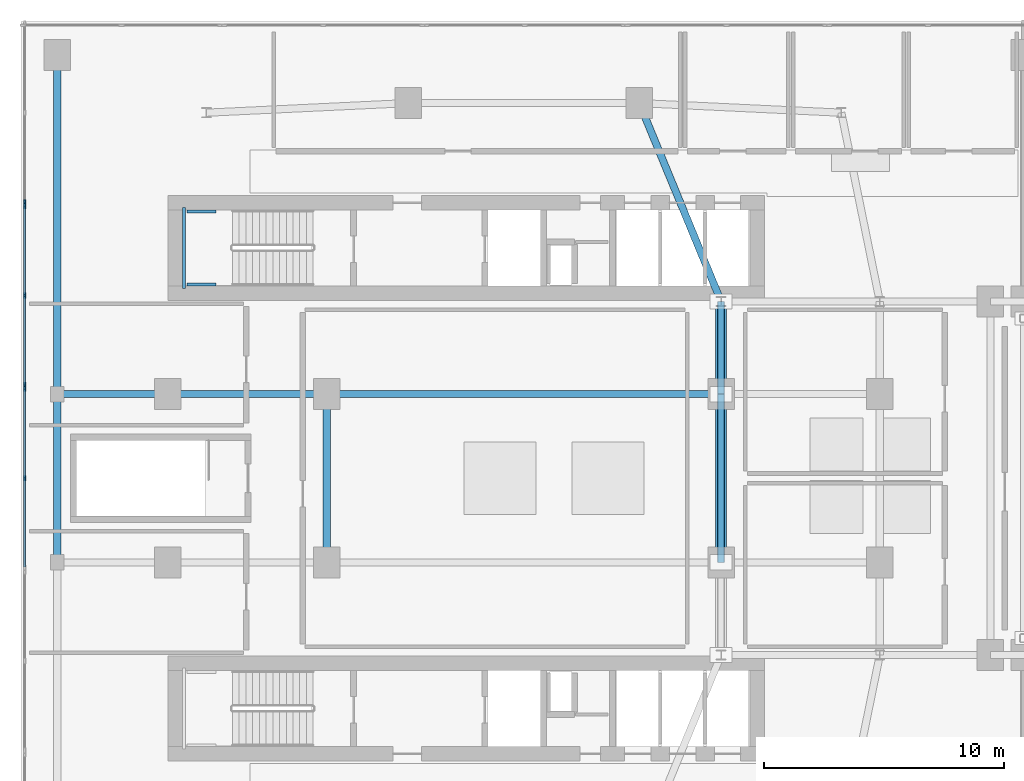
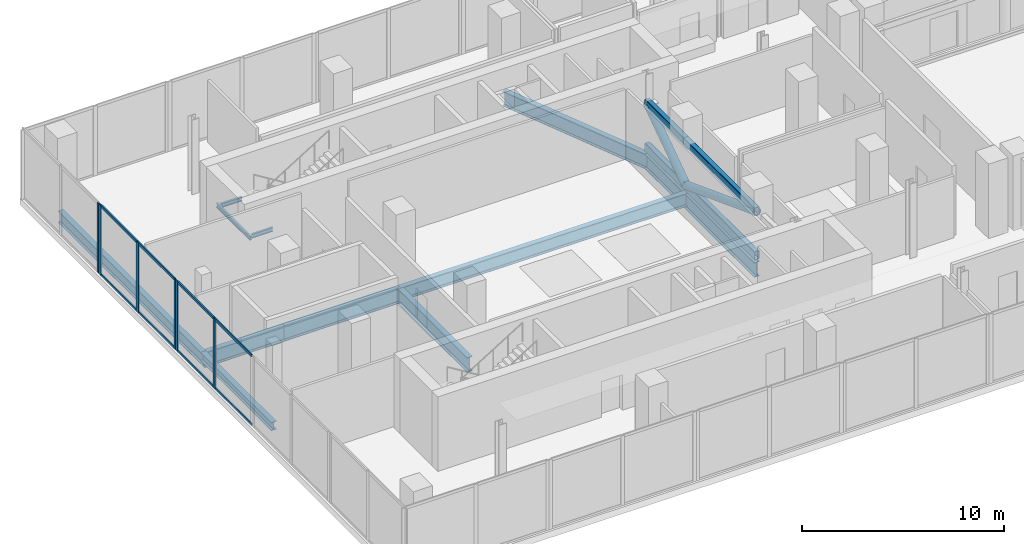
# One storey, part 5 of 21: 20 members, 12 beams, 3 elements without a shape of their own.
"""IFC4 building model written with IfcOpenShell, lengths in metres."""

from ifc_helpers import new_model, si_unit, derived_unit, direction, frame, origin, origin_2d, place, context, subcontext, project, spatial, rectangle, hollow_rectangle, hollow_circle, i_section, extrude, material, layer, layer_set, material_profile, profile_set, type_object, element, aggregate, save


model = new_model("IFC4")

# Units and contexts
model_context = context("Model", 3, precision=1e-05, world=origin(), true_north=direction((0.0, 1.0)))
body_context = subcontext(model_context, "Body", "Model", "MODEL_VIEW")
ifc_project = project(units=[si_unit("LENGTHUNIT", "METRE"), si_unit("AREAUNIT", "SQUARE_METRE"), si_unit("VOLUMEUNIT", "CUBIC_METRE"), si_unit("PLANEANGLEUNIT", "RADIAN"), si_unit("MASSUNIT", "GRAM", prefix="KILO"), derived_unit("THERMALTRANSMITTANCEUNIT", [(si_unit("POWERUNIT", "WATT"), 1), (si_unit("LENGTHUNIT", "METRE"), -2), (si_unit("THERMODYNAMICTEMPERATUREUNIT", "KELVIN"), -1)])], contexts=[model_context])

# Site, building, storey
site_placement = place(None, origin())
site = spatial("IfcSite", under=ifc_project, at=site_placement, CompositionType="ELEMENT")
building_placement = place(site_placement, origin())
building = spatial("IfcBuilding", under=site, at=building_placement, Name="Kivonza Crest Hotel", CompositionType="ELEMENT")
storey_placement = place(building_placement, frame((0.0, 0.0, 19.5)))
storey = spatial("IfcBuildingStorey", under=building, at=storey_placement, Name="L04", CompositionType="ELEMENT", Elevation=19.5)

# Beams
ifc_material_1 = material(Name="Steel S355", Category="steel")
ifc_material_profile_1 = material_profile(ifc_material_1, i_section(OverallWidth=0.300048828125, OverallDepth=0.5, WebThickness=0.014404296875, FlangeThickness=0.028076171875, FilletRadius=0.027099609375, at=origin_2d()), Name="HEB 500")
ifc_profile_set_1 = profile_set([ifc_material_profile_1], Name="Steel S355")
beam_type_1 = type_object("IfcBeamType", Name="BM-HEB500", PredefinedType="BEAM", material=ifc_profile_set_1)
beam_1_placement = place(storey_placement, frame((1.60009765625, 21.5, -0.64990234375), z_axis=(0.0, 1.0, 0.0), x_axis=(-1.0, 0.0, 0.0)))
element("IfcBeam", 1, at=beam_1_placement, inside=storey, type_object=beam_type_1, Name="L04 podium girder Y 32", PredefinedType="BEAM", context=body_context, shape_type="SweptSolid", body=[
    extrude(i_section(OverallWidth=0.300048828125, OverallDepth=0.5, WebThickness=0.014404296875, FlangeThickness=0.028076171875, FilletRadius=0.027099609375, at=origin_2d()), origin(), (0.0, 0.0, 1.0), 7.0),
])
ifc_material_profile_2 = material_profile(ifc_material_1, i_section(OverallWidth=0.300048828125, OverallDepth=0.699951171875, WebThickness=0.01708984375, FlangeThickness=0.031982421875, FilletRadius=0.027099609375, at=origin_2d()), Name="HEB 700")
ifc_profile_set_2 = profile_set([ifc_material_profile_2], Name="Steel S355")
beam_type_2 = type_object("IfcBeamType", Name="BM-HEB700", PredefinedType="BEAM", material=ifc_profile_set_2)
beam_2_placement = place(storey_placement, frame((1.60009765625, 28.5, -0.75), z_axis=(0.0, 1.0, 0.0), x_axis=(-1.0, 0.0, 0.0)))
element("IfcBeam", 2, at=beam_2_placement, inside=storey, type_object=beam_type_2, Name="L04 podium girder Y 33", PredefinedType="BEAM", context=body_context, shape_type="SweptSolid", body=[
    extrude(i_section(OverallWidth=0.300048828125, OverallDepth=0.699951171875, WebThickness=0.01708984375, FlangeThickness=0.031982421875, FilletRadius=0.027099609375, at=origin_2d()), origin(), (0.0, 0.0, 1.0), 14.10009765625),
])
ifc_material_profile_3 = material_profile(ifc_material_1, i_section(OverallWidth=0.300048828125, OverallDepth=0.800048828125, WebThickness=0.017578125, FlangeThickness=0.032958984375, FilletRadius=0.030029296875, at=origin_2d()), Name="HEB 800")
ifc_profile_set_3 = profile_set([ifc_material_profile_3], Name="Steel S355")
beam_type_3 = type_object("IfcBeamType", Name="BM-HEB800", PredefinedType="BEAM", material=ifc_profile_set_3)
beam_3_placement = place(storey_placement, frame((12.800048828125, 28.5, -0.800048828125), z_axis=(1.0, 0.0, 0.0), x_axis=(0.0, 1.0, 0.0)))
element("IfcBeam", 3, at=beam_3_placement, inside=storey, type_object=beam_type_3, Name="L04 podium girder X 18", PredefinedType="BEAM", context=body_context, shape_type="SweptSolid", body=[
    extrude(i_section(OverallWidth=0.300048828125, OverallDepth=0.800048828125, WebThickness=0.017578125, FlangeThickness=0.032958984375, FilletRadius=0.030029296875, at=origin_2d()), origin(), (0.0, 0.0, 1.0), 16.39990234375),
])
ifc_material_profile_4 = material_profile(ifc_material_1, i_section(OverallWidth=0.300048828125, OverallDepth=0.89990234375, WebThickness=0.0185546875, FlangeThickness=0.034912109375, FilletRadius=0.030029296875, at=origin_2d()), Name="HEB 900")
ifc_profile_set_4 = profile_set([ifc_material_profile_4], Name="Steel S355")
beam_type_4 = type_object("IfcBeamType", Name="BM-HEB900", PredefinedType="BEAM", material=ifc_profile_set_4)
beam_4_placement = place(storey_placement, frame((6.199951171875, 28.5, -0.85009765625), z_axis=(1.0, 0.0, 0.0), x_axis=(0.0, 1.0, 0.0)))
element("IfcBeam", 4, at=beam_4_placement, inside=storey, type_object=beam_type_4, Name="Tower T1 L04 primary girder W2-WL2", PredefinedType="BEAM", context=body_context, shape_type="SweptSolid", body=[
    extrude(i_section(OverallWidth=0.300048828125, OverallDepth=0.89990234375, WebThickness=0.0185546875, FlangeThickness=0.034912109375, FilletRadius=0.030029296875, at=origin_2d()), origin(), (0.0, 0.0, 1.0), 6.60009765625),
])
beam_5_placement = place(storey_placement, frame((12.800048828125, 21.5, -0.85009765625), z_axis=(0.0, 1.0, 0.0), x_axis=(-1.0, 0.0, 0.0)))
element("IfcBeam", 5, at=beam_5_placement, inside=storey, type_object=beam_type_4, Name="Tower T1 L04 primary girder WL1-WL2", PredefinedType="BEAM", context=body_context, shape_type="SweptSolid", body=[
    extrude(i_section(OverallWidth=0.300048828125, OverallDepth=0.89990234375, WebThickness=0.0185546875, FlangeThickness=0.034912109375, FilletRadius=0.030029296875, at=origin_2d()), origin(), (0.0, 0.0, 1.0), 7.0),
])
beam_6_placement = place(storey_placement, frame((25.800048828125, 40.60009765625, -0.85009765625), z_axis=(0.381022260404, -0.924565864109, 0.0), x_axis=(0.924565864109, 0.381022260404, 0.0)))
element("IfcBeam", 6, at=beam_6_placement, inside=storey, type_object=beam_type_4, Name="Tower T1 L04 primary girder N1-TNE", PredefinedType="BEAM", context=body_context, shape_type="SweptSolid", body=[
    extrude(i_section(OverallWidth=0.300048828125, OverallDepth=0.89990234375, WebThickness=0.0185546875, FlangeThickness=0.034912109375, FilletRadius=0.030029296875, at=origin_2d()), origin(), (0.0, 0.0, 1.0), 8.923095703125),
])
beam_7_placement = place(storey_placement, frame((29.199951171875, 21.5, -0.85009765625), z_axis=(0.0, 1.0, 0.0), x_axis=(-1.0, 0.0, 0.0)))
element("IfcBeam", 7, at=beam_7_placement, inside=storey, type_object=beam_type_4, Name="Tower T1 L04 primary girder WR1-WR2", PredefinedType="BEAM", context=body_context, shape_type="SweptSolid", body=[
    extrude(i_section(OverallWidth=0.300048828125, OverallDepth=0.89990234375, WebThickness=0.0185546875, FlangeThickness=0.034912109375, FilletRadius=0.030029296875, at=origin_2d()), origin(), (0.0, 0.0, 1.0), 7.0),
])
beam_8_placement = place(storey_placement, frame((29.199951171875, 28.5, -0.85009765625), z_axis=(0.0, 1.0, 0.0), x_axis=(-1.0, 0.0, 0.0)))
element("IfcBeam", 8, at=beam_8_placement, inside=storey, type_object=beam_type_4, Name="Tower T1 L04 primary girder WR2-TNE", PredefinedType="BEAM", context=body_context, shape_type="SweptSolid", body=[
    extrude(i_section(OverallWidth=0.300048828125, OverallDepth=0.89990234375, WebThickness=0.0185546875, FlangeThickness=0.034912109375, FilletRadius=0.030029296875, at=origin_2d()), origin(), (0.0, 0.0, 1.0), 3.85009765625),
])
beam_9_placement = place(storey_placement, frame((1.60009765625, 28.5, -0.85009765625), z_axis=(1.0, 0.0, 0.0), x_axis=(0.0, 1.0, 0.0)))
element("IfcBeam", 9, at=beam_9_placement, inside=storey, type_object=beam_type_4, Name="Tower T1 L04 outer bay girder ZW2", PredefinedType="BEAM", context=body_context, shape_type="SweptSolid", body=[
    extrude(i_section(OverallWidth=0.300048828125, OverallDepth=0.89990234375, WebThickness=0.0185546875, FlangeThickness=0.034912109375, FilletRadius=0.030029296875, at=origin_2d()), origin(), (0.0, 0.0, 1.0), 4.599853515625),
])
ifc_material_profile_5 = material_profile(ifc_material_1, i_section(OverallWidth=0.1201171875, OverallDepth=0.239990234375, WebThickness=0.006103515625, FlangeThickness=0.009765625, FilletRadius=0.014892578125, at=origin_2d()), Name="IPE 240")
ifc_profile_set_5 = profile_set([ifc_material_profile_5], Name="Steel S355")
beam_type_5 = type_object("IfcBeamType", Name="BM-LLDG-240", PredefinedType="BEAM", material=ifc_profile_set_5)
beam_10_placement = place(storey_placement, frame((6.860107421875, 32.89990234375, 1.929931640625), z_axis=(0.0, 1.0, 0.0), x_axis=(-1.0, 0.0, 0.0)))
element("IfcBeam", 10, at=beam_10_placement, inside=storey, type_object=beam_type_5, Name="Stair ST-T1-N L04 West landing corbel", PredefinedType="BEAM", context=body_context, shape_type="SweptSolid", body=[
    extrude(i_section(OverallWidth=0.1201171875, OverallDepth=0.239990234375, WebThickness=0.006103515625, FlangeThickness=0.009765625, FilletRadius=0.014892578125, at=origin_2d()), origin(), (0.0, 0.0, 1.0), 3.360107421875),
])
for number, where, z_axis, x_axis, name in (
    (11, (6.989990234375, 33.06005859375, 1.929931640625), (1.0, 0.0, 0.0), (0.0, 1.0, 0.0), "Stair ST-T1-N L04 South landing corbel"),
    (12, (6.989990234375, 36.10009765625, 1.929931640625), (1.0, 0.0, 0.0), (0.0, 1.0, 0.0), "Stair ST-T1-N L04 North landing corbel"),
):
    element("IfcBeam", number, at=place(storey_placement, frame(where, z_axis=z_axis, x_axis=x_axis)), inside=storey, type_object=beam_type_5, Name=name, PredefinedType="BEAM", context=body_context, shape_type="SweptSolid", body=[
        extrude(i_section(OverallWidth=0.1201171875, OverallDepth=0.239990234375, WebThickness=0.006103515625, FlangeThickness=0.009765625, FilletRadius=0.014892578125, at=origin_2d()), origin(), (0.0, 0.0, 1.0), 1.2099609375),
    ])

# Curtain wall, member
ifc_material_2 = material(Name="Anodised bronze aluminium and low-E double glazing", Category="aluminium")
ifc_layer = layer(ifc_material_2, 0.199951171875)
ifc_layer_set = layer_set([ifc_layer], Name="Anodised bronze aluminium and low-E double glazing")
curtain_wall_type = type_object("IfcCurtainWallType", Name="CW-SYS-6", PredefinedType="NOTDEFINED", material=ifc_layer_set)
curtain_wall_1_placement = place(storey_placement, origin())
curtain_wall_1 = element("IfcCurtainWall", 13, at=curtain_wall_1_placement, inside=storey, type_object=curtain_wall_type, Name="L04 unitised curtain wall CW-POD-L04-36", PredefinedType="NOTDEFINED")
ifc_material_3 = material(Name="Anodised bronze aluminium", Category="aluminium")
ifc_material_profile_6 = material_profile(ifc_material_3, rectangle(XDim=0.074951171875, YDim=0.219970703125, at=origin_2d()), Name="CW-M 75x220")
ifc_profile_set_6 = profile_set([ifc_material_profile_6], Name="Anodised bronze aluminium")
member_type_1 = type_object("IfcMemberType", Name="CW-MUL-75x220", PredefinedType="MULLION", material=ifc_profile_set_6)
member_1_placement = place(storey_placement, frame((0.239990234375, 36.4775390625, 0.0), z_axis=(0.0, 0.0, 1.0), x_axis=(1.0, 0.0, 0.0)))
member_1 = element("IfcMember", 14, at=member_1_placement, type_object=member_type_1, Name="CW-6 mullion 3", PredefinedType="MULLION", context=body_context, shape_type="SweptSolid", body=[
    extrude(rectangle(XDim=0.074951171875, YDim=0.219970703125, at=origin_2d()), origin(), (0.0, 0.0, 1.0), 4.219970703125),
])
aggregate(curtain_wall_1, [member_1])

# Curtain wall, members
curtain_wall_2_placement = place(storey_placement, origin())
curtain_wall_2 = element("IfcCurtainWall", 15, at=curtain_wall_2_placement, inside=storey, type_object=curtain_wall_type, Name="L04 unitised curtain wall CW-POD-L04-37", PredefinedType="NOTDEFINED")
member_2_placement = place(storey_placement, frame((0.239990234375, 36.322509765625, 0.0), z_axis=(0.0, 0.0, 1.0), x_axis=(1.0, 0.0, 0.0)))
member_2 = element("IfcMember", 16, at=member_2_placement, type_object=member_type_1, Name="CW-6 mullion 1", PredefinedType="MULLION", context=body_context, shape_type="SweptSolid", body=[
    extrude(rectangle(XDim=0.074951171875, YDim=0.219970703125, at=origin_2d()), origin(), (0.0, 0.0, 1.0), 4.219970703125),
])
member_3_placement = place(storey_placement, frame((0.239990234375, 32.60009765625, 0.0), z_axis=(0.0, 0.0, 1.0), x_axis=(1.0, 0.0, 0.0)))
member_3 = element("IfcMember", 17, at=member_3_placement, type_object=member_type_1, Name="CW-6 mullion 2", PredefinedType="MULLION", context=body_context, shape_type="SweptSolid", body=[
    extrude(rectangle(XDim=0.074951171875, YDim=0.219970703125, at=origin_2d()), origin(), (0.0, 0.0, 1.0), 4.219970703125),
])
member_4_placement = place(storey_placement, frame((0.239990234375, 28.87744140625, 0.0), z_axis=(0.0, 0.0, 1.0), x_axis=(1.0, 0.0, 0.0)))
member_4 = element("IfcMember", 18, at=member_4_placement, type_object=member_type_1, Name="CW-6 mullion 3", PredefinedType="MULLION", context=body_context, shape_type="SweptSolid", body=[
    extrude(rectangle(XDim=0.074951171875, YDim=0.219970703125, at=origin_2d()), origin(), (0.0, 0.0, 1.0), 4.219970703125),
])

curtain_wall_3_placement = place(storey_placement, origin())
curtain_wall_3 = element("IfcCurtainWall", 19, at=curtain_wall_3_placement, inside=storey, type_object=curtain_wall_type, Name="L04 unitised curtain wall CW-POD-L04-38", PredefinedType="NOTDEFINED")
member_5_placement = place(storey_placement, frame((0.239990234375, 28.722412109375, 0.0), z_axis=(0.0, 0.0, 1.0), x_axis=(1.0, 0.0, 0.0)))
member_5 = element("IfcMember", 20, at=member_5_placement, type_object=member_type_1, Name="CW-6 mullion 1", PredefinedType="MULLION", context=body_context, shape_type="SweptSolid", body=[
    extrude(rectangle(XDim=0.074951171875, YDim=0.219970703125, at=origin_2d()), origin(), (0.0, 0.0, 1.0), 4.219970703125),
])
member_6_placement = place(storey_placement, frame((0.239990234375, 25.0, 0.0), z_axis=(0.0, 0.0, 1.0), x_axis=(1.0, 0.0, 0.0)))
member_6 = element("IfcMember", 21, at=member_6_placement, type_object=member_type_1, Name="CW-6 mullion 2", PredefinedType="MULLION", context=body_context, shape_type="SweptSolid", body=[
    extrude(rectangle(XDim=0.074951171875, YDim=0.219970703125, at=origin_2d()), origin(), (0.0, 0.0, 1.0), 4.219970703125),
])

# Member
ifc_material_profile_7 = material_profile(ifc_material_3, rectangle(XDim=0.074951171875, YDim=0.159912109375, at=origin_2d()), Name="CW-T 75x160")
ifc_profile_set_7 = profile_set([ifc_material_profile_7], Name="Anodised bronze aluminium")
member_type_2 = type_object("IfcMemberType", Name="CW-TRN-75x160", PredefinedType="USERDEFINED", material=ifc_profile_set_7)
member_7_placement = place(storey_placement, frame((0.239990234375, 36.284912109375, 0.03759765625), z_axis=(0.0, -1.0, 0.0), x_axis=(1.0, 0.0, 0.0)))
member_7 = element("IfcMember", 22, at=member_7_placement, type_object=member_type_2, Name="CW-6 transom 1.1", ObjectType="TRANSOM", PredefinedType="USERDEFINED", context=body_context, shape_type="SweptSolid", body=[
    extrude(rectangle(XDim=0.074951171875, YDim=0.159912109375, at=origin_2d()), origin(), (0.0, 0.0, 1.0), 3.6474609375),
])

member_8_placement = place(storey_placement, frame((0.239990234375, 36.284912109375, 4.1826171875), z_axis=(0.0, -1.0, 0.0), x_axis=(1.0, 0.0, 0.0)))
member_8 = element("IfcMember", 23, at=member_8_placement, type_object=member_type_2, Name="CW-6 transom 1.2", ObjectType="TRANSOM", PredefinedType="USERDEFINED", context=body_context, shape_type="SweptSolid", body=[
    extrude(rectangle(XDim=0.074951171875, YDim=0.159912109375, at=origin_2d()), origin(), (0.0, 0.0, 1.0), 3.6474609375),
])

member_9_placement = place(storey_placement, frame((0.239990234375, 32.5625, 0.03759765625), z_axis=(0.0, -1.0, 0.0), x_axis=(1.0, 0.0, 0.0)))
member_9 = element("IfcMember", 24, at=member_9_placement, type_object=member_type_2, Name="CW-6 transom 2.1", ObjectType="TRANSOM", PredefinedType="USERDEFINED", context=body_context, shape_type="SweptSolid", body=[
    extrude(rectangle(XDim=0.074951171875, YDim=0.159912109375, at=origin_2d()), origin(), (0.0, 0.0, 1.0), 3.6474609375),
])

member_10_placement = place(storey_placement, frame((0.239990234375, 32.5625, 4.1826171875), z_axis=(0.0, -1.0, 0.0), x_axis=(1.0, 0.0, 0.0)))
member_10 = element("IfcMember", 25, at=member_10_placement, type_object=member_type_2, Name="CW-6 transom 2.2", ObjectType="TRANSOM", PredefinedType="USERDEFINED", context=body_context, shape_type="SweptSolid", body=[
    extrude(rectangle(XDim=0.074951171875, YDim=0.159912109375, at=origin_2d()), origin(), (0.0, 0.0, 1.0), 3.6474609375),
])

aggregate(curtain_wall_2, [member_2, member_3, member_4, member_7, member_8, member_9, member_10])

member_11_placement = place(storey_placement, frame((0.239990234375, 28.68505859375, 0.03759765625), z_axis=(0.0, -1.0, 0.0), x_axis=(1.0, 0.0, 0.0)))
member_11 = element("IfcMember", 26, at=member_11_placement, type_object=member_type_2, Name="CW-6 transom 1.1", ObjectType="TRANSOM", PredefinedType="USERDEFINED", context=body_context, shape_type="SweptSolid", body=[
    extrude(rectangle(XDim=0.074951171875, YDim=0.159912109375, at=origin_2d()), origin(), (0.0, 0.0, 1.0), 3.6474609375),
])

member_12_placement = place(storey_placement, frame((0.239990234375, 28.68505859375, 4.1826171875), z_axis=(0.0, -1.0, 0.0), x_axis=(1.0, 0.0, 0.0)))
member_12 = element("IfcMember", 27, at=member_12_placement, type_object=member_type_2, Name="CW-6 transom 1.2", ObjectType="TRANSOM", PredefinedType="USERDEFINED", context=body_context, shape_type="SweptSolid", body=[
    extrude(rectangle(XDim=0.074951171875, YDim=0.159912109375, at=origin_2d()), origin(), (0.0, 0.0, 1.0), 3.6474609375),
])

member_13_placement = place(storey_placement, frame((0.239990234375, 24.96240234375, 0.03759765625), z_axis=(0.0, -1.0, 0.0), x_axis=(1.0, 0.0, 0.0)))
member_13 = element("IfcMember", 28, at=member_13_placement, type_object=member_type_2, Name="CW-6 transom 2.1", ObjectType="TRANSOM", PredefinedType="USERDEFINED", context=body_context, shape_type="SweptSolid", body=[
    extrude(rectangle(XDim=0.074951171875, YDim=0.159912109375, at=origin_2d()), origin(), (0.0, 0.0, 1.0), 3.6474609375),
])

member_14_placement = place(storey_placement, frame((0.239990234375, 24.96240234375, 4.1826171875), z_axis=(0.0, -1.0, 0.0), x_axis=(1.0, 0.0, 0.0)))
member_14 = element("IfcMember", 29, at=member_14_placement, type_object=member_type_2, Name="CW-6 transom 2.2", ObjectType="TRANSOM", PredefinedType="USERDEFINED", context=body_context, shape_type="SweptSolid", body=[
    extrude(rectangle(XDim=0.074951171875, YDim=0.159912109375, at=origin_2d()), origin(), (0.0, 0.0, 1.0), 3.6474609375),
])

aggregate(curtain_wall_3, [member_5, member_6, member_11, member_12, member_13, member_14])

# Members
ifc_material_profile_8 = material_profile(ifc_material_1, hollow_circle(Radius=0.228515625, WallThickness=0.02490234375, at=origin_2d()), Name="CHS 457x25")
ifc_profile_set_8 = profile_set([ifc_material_profile_8], Name="Steel S355")
member_type_3 = type_object("IfcMemberType", Name="MB-BRACE-CHS457", PredefinedType="BRACE", material=ifc_profile_set_8)
member_15_placement = place(storey_placement, frame((29.199951171875, 21.5, 2.64990234375), z_axis=(0.0, 0.935230805355, -0.354038614723), x_axis=(-1.0, 0.0, 0.0)))
element("IfcMember", 30, at=member_15_placement, inside=storey, type_object=member_type_3, Name="Transfer truss L04 ballroom diagonal brace 2", PredefinedType="BRACE", context=body_context, shape_type="SweptSolid", body=[
    extrude(hollow_circle(Radius=0.228515625, WallThickness=0.02490234375, at=origin_2d()), origin(), (0.0, 0.0, 1.0), 7.48486328125),
])
member_16_placement = place(storey_placement, frame((29.199951171875, 28.5, 0.0), z_axis=(0.0, 0.823746136864, 0.566958818612), x_axis=(-1.0, 0.0, 0.0)))
element("IfcMember", 31, at=member_16_placement, inside=storey, type_object=member_type_3, Name="Transfer truss L04 ballroom diagonal brace 3", PredefinedType="BRACE", context=body_context, shape_type="SweptSolid", body=[
    extrude(hollow_circle(Radius=0.228515625, WallThickness=0.02490234375, at=origin_2d()), origin(), (0.0, 0.0, 1.0), 4.673828125),
])
ifc_material_profile_9 = material_profile(ifc_material_1, hollow_rectangle(XDim=0.300048828125, YDim=0.5, WallThickness=0.02001953125, InnerFilletRadius=0.030029296875, OuterFilletRadius=0.050048828125, at=origin_2d()), Name="RHS 500x300x20")
ifc_profile_set_9 = profile_set([ifc_material_profile_9], Name="Steel S355")
member_type_4 = type_object("IfcMemberType", Name="MB-CHORD-RHS500", PredefinedType="CHORD", material=ifc_profile_set_9)
for number, where, z_axis, x_axis, name in (
    (32, (29.199951171875, 21.5, 0.0), (0.0, 1.0, 0.0), (-1.0, 0.0, 0.0), "Transfer truss L04 ballroom bottom chord 2"),
    (33, (29.199951171875, 21.5, 2.64990234375), (0.0, 1.0, 0.0), (-1.0, 0.0, 0.0), "Transfer truss L04 ballroom top chord 2"),
):
    element("IfcMember", number, at=place(storey_placement, frame(where, z_axis=z_axis, x_axis=x_axis)), inside=storey, type_object=member_type_4, Name=name, PredefinedType="CHORD", context=body_context, shape_type="SweptSolid", body=[
        extrude(hollow_rectangle(XDim=0.300048828125, YDim=0.5, WallThickness=0.02001953125, InnerFilletRadius=0.030029296875, OuterFilletRadius=0.050048828125, at=origin_2d()), origin(), (0.0, 0.0, 1.0), 7.0),
    ])
for number, where, z_axis, x_axis, name in (
    (34, (29.199951171875, 28.5, 0.0), (0.0, 1.0, 0.0), (-1.0, 0.0, 0.0), "Transfer truss L04 ballroom bottom chord 3"),
    (35, (29.199951171875, 28.5, 2.64990234375), (0.0, 1.0, 0.0), (-1.0, 0.0, 0.0), "Transfer truss L04 ballroom top chord 3"),
):
    element("IfcMember", number, at=place(storey_placement, frame(where, z_axis=z_axis, x_axis=x_axis)), inside=storey, type_object=member_type_4, Name=name, PredefinedType="CHORD", context=body_context, shape_type="SweptSolid", body=[
        extrude(hollow_rectangle(XDim=0.300048828125, YDim=0.5, WallThickness=0.02001953125, InnerFilletRadius=0.030029296875, OuterFilletRadius=0.050048828125, at=origin_2d()), origin(), (0.0, 0.0, 1.0), 3.85009765625),
    ])

save(model, "model.ifc")
